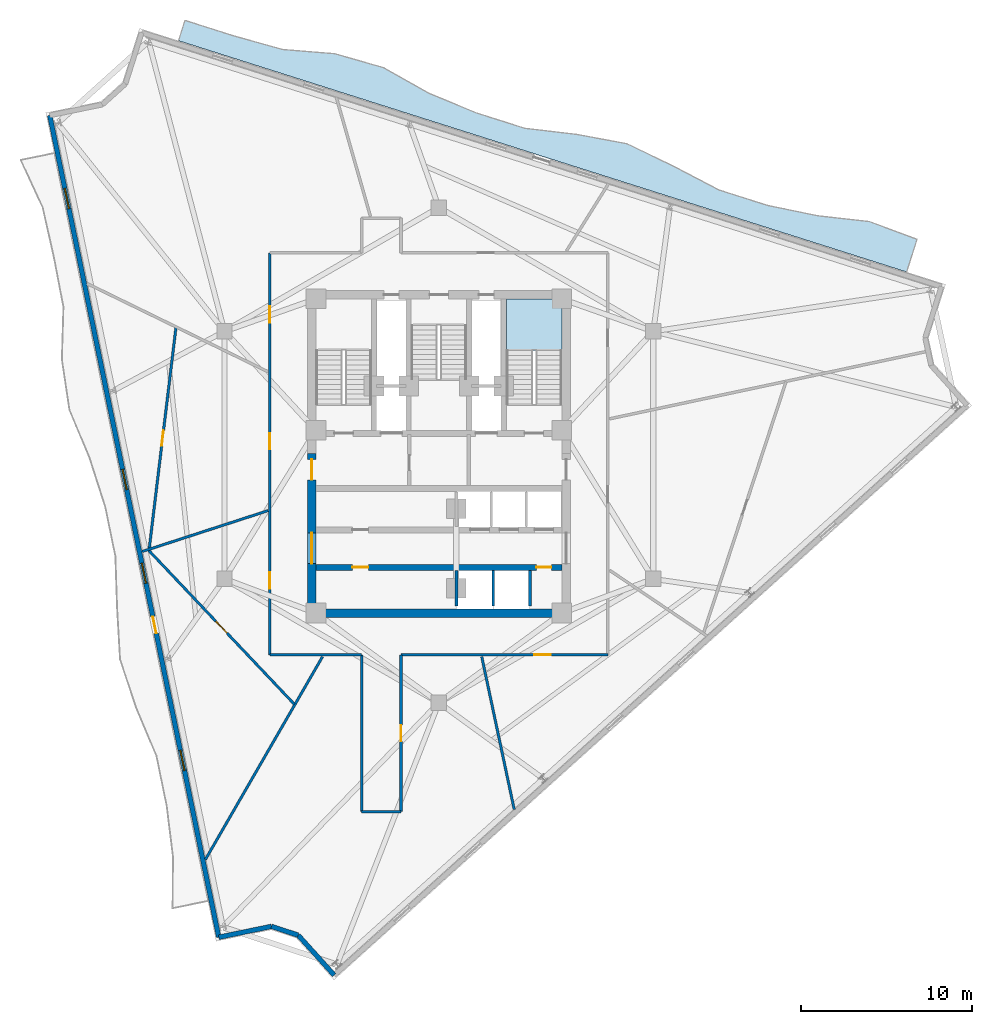
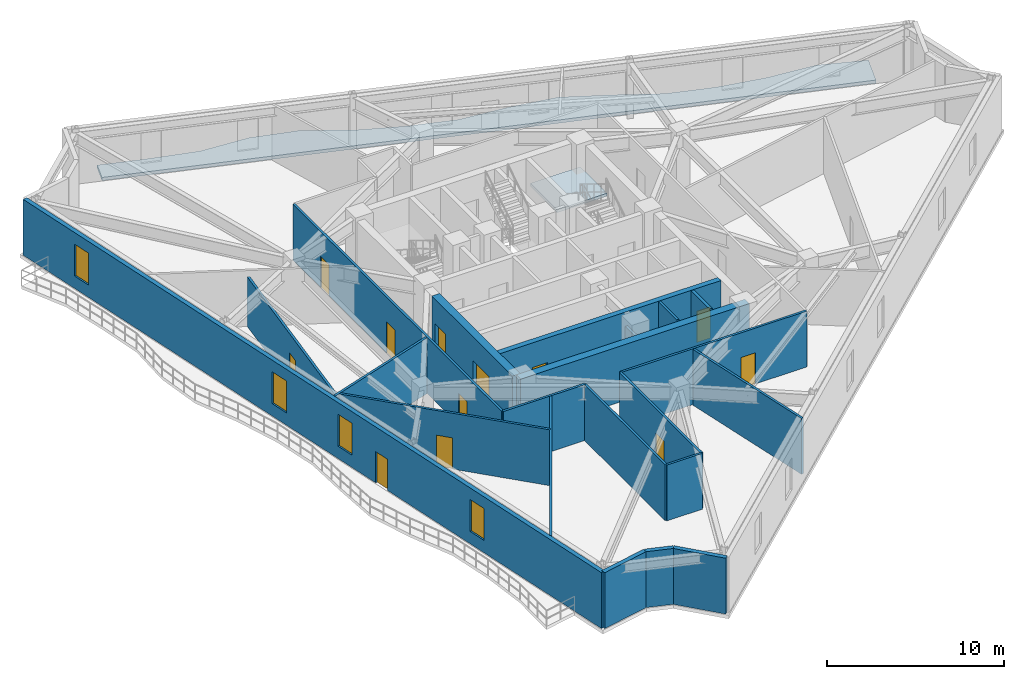
# One storey, part 5 of 11: 21 walls, 12 doors, 4 windows, 2 slabs, 16 openings, 1 element without a shape of its own.
"""IFC4 building model written with IfcOpenShell, lengths in metres."""

from ifc_helpers import new_model, si_unit, direction, frame, frame_2d, origin, place, context, subcontext, project, spatial, polyline, rectangle, outline, extrude, material, layer, layer_set, type_object, element, fill, aggregate, save


model = new_model("IFC4")

# Units and contexts
model_context = context("Model", 3, precision=1e-05, world=origin(), true_north=direction((0.0, 1.0)))
body_context = subcontext(model_context, "Body", "Model", "MODEL_VIEW")
ifc_project = project(units=[si_unit("LENGTHUNIT", "METRE"), si_unit("AREAUNIT", "SQUARE_METRE"), si_unit("VOLUMEUNIT", "CUBIC_METRE"), si_unit("PLANEANGLEUNIT", "RADIAN"), si_unit("MASSUNIT", "GRAM", prefix="KILO")], contexts=[model_context])

# Site, building, storey
site_placement = place(None, origin())
site = spatial("IfcSite", under=ifc_project, at=site_placement, CompositionType="ELEMENT")
building_placement = place(site_placement, origin())
building = spatial("IfcBuilding", under=site, at=building_placement, Name="Apsidion Concourse Tower", CompositionType="ELEMENT")
storey_placement = place(building_placement, frame((0.0, 0.0, 252.699951171875)))
storey = spatial("IfcBuildingStorey", under=building, at=storey_placement, Name="L59", CompositionType="ELEMENT", Elevation=252.699951171875)

# Slab
ifc_material_1 = material(Name="Concrete C50/60", Category="concrete")
ifc_layer_1 = layer(ifc_material_1, 0.219970703125)
ifc_layer_set_1 = layer_set([ifc_layer_1], Name="Concrete C50/60")
slab_type_1 = type_object("IfcSlabType", Name="SL-BAL-220", PredefinedType="FLOOR", material=ifc_layer_set_1)
slab_1_placement = place(storey_placement, frame((0.0, 0.0, -0.219970703125)))
element("IfcSlab", 1, at=slab_1_placement, inside=storey, type_object=slab_type_1, Name="L59 Face 3 Rippling Balcony Slab", PredefinedType="FLOOR", context=body_context, shape_type="SweptSolid", body=[
    extrude(outline(polyline([(27.39599609375, 10.727294921875), (24.552978515625, 11.63037109375), (21.7099609375, 12.533447265625), (18.86669921875, 13.436279296875), (16.023681640625, 14.33935546875), (13.1806640625, 15.2421875), (10.337646484375, 16.145263671875), (7.49462890625, 17.04833984375), (4.651611328125, 17.951416015625), (1.80859375, 18.854248046875), (-1.03466796875, 19.75732421875), (-3.877685546875, 20.660400390625), (-6.720703125, 21.563232421875), (-9.563720703125, 22.46630859375), (-12.40673828125, 23.369140625), (-15.25, 24.272216796875), (-14.87158203125, 25.463623046875), (-12.028564453125, 24.560546875), (-9.15380859375, 23.7568359375), (-6.101806640625, 23.51220703125), (-3.232666015625, 22.69091796875), (-0.57861328125, 21.193359375), (2.186767578125, 20.045654296875), (5.02978515625, 19.142578125), (8.047607421875, 18.7890625), (11.00341796875, 18.24169921875), (13.718994140625, 16.9375), (16.402099609375, 15.53076171875), (19.2451171875, 14.627685546875), (22.181640625, 14.018798828125), (25.204345703125, 13.681640625), (28.00439453125, 12.642578125), (27.39599609375, 10.727294921875)])), origin(), (0.0, 0.0, 1.0), 0.219970703125),
])

# Stair, slab
ifc_material_2 = material(Name="Precast concrete C40/50", Category="concrete")
stair_type = type_object("IfcStairType", Name="ST-DL-1550", PredefinedType="HALF_TURN_STAIR", material=ifc_material_2)
stair_placement = place(storey_placement, origin())
stair = element("IfcStair", 2, at=stair_placement, inside=storey, type_object=stair_type, Name="L59 Protected Core Exit Stair ST2", PredefinedType="HALF_TURN_STAIR")
ifc_layer_2 = layer(ifc_material_1, 0.199951171875)
ifc_layer_set_2 = layer_set([ifc_layer_2], Name="Concrete C50/60")
slab_type_2 = type_object("IfcSlabType", Name="SL-ST-LAND-200", PredefinedType="LANDING", material=ifc_layer_set_2)
slab_2_placement = place(storey_placement, frame((0.0, 0.0, 1.85009765625)))
slab_2 = element("IfcSlab", 3, at=slab_2_placement, type_object=slab_type_2, Name="ST2 landing 1", PredefinedType="LANDING", context=body_context, shape_type="SweptSolid", body=[
    extrude(outline(polyline([(7.199951171875, 6.135009765625), (7.199951171875, 9.14990234375), (3.949951171875, 9.14990234375), (3.949951171875, 6.135009765625), (7.199951171875, 6.135009765625)])), origin(), (0.0, 0.0, 1.0), 0.199951171875),
])
aggregate(stair, [slab_2])

# Walls
ifc_layer_3 = layer(ifc_material_2, 0.280029296875)
ifc_layer_set_3 = layer_set([ifc_layer_3], Name="Precast concrete C40/50")
wall_type_1 = type_object("IfcWallType", Name="WL-EXT-280", PredefinedType="STANDARD", material=ifc_layer_set_3)
wall_1_placement = place(storey_placement, frame((-6.13330078125, -30.46044921875, 0.0), z_axis=(0.0, 0.0, 1.0), x_axis=(-0.669131702868, 0.743143838175, 0.0)))
element("IfcWall", 4, at=wall_1_placement, inside=storey, type_object=wall_type_1, Name="L59 Precast Stone Facade Wall 06", PredefinedType="STANDARD", context=body_context, shape_type="SweptSolid", body=[
    extrude(rectangle(XDim=3.150146484375, YDim=0.280029296875, at=frame_2d((1.5751953125, 0.0))), origin(), (0.0, 0.0, 1.0), 3.85009765625),
])
wall_2_placement = place(storey_placement, frame((-8.2412109375, -28.119384765625, 0.0), z_axis=(0.0, 0.0, 1.0), x_axis=(-0.950036767419, 0.312138015231, 0.0)))
element("IfcWall", 5, at=wall_2_placement, inside=storey, type_object=wall_type_1, Name="L59 Precast Stone Facade Wall 07", PredefinedType="STANDARD", context=body_context, shape_type="SweptSolid", body=[
    extrude(rectangle(XDim=1.648681640625, YDim=0.280029296875, at=frame_2d((0.82421875, 0.0))), origin(), (0.0, 0.0, 1.0), 3.85009765625),
])
wall_3_placement = place(storey_placement, frame((-9.8076171875, -27.604736328125, 0.0), z_axis=(0.0, 0.0, 1.0), x_axis=(-0.979505186658, -0.201418939799, 0.0)))
element("IfcWall", 6, at=wall_3_placement, inside=storey, type_object=wall_type_1, Name="L59 Precast Stone Facade Wall 08", PredefinedType="STANDARD", context=body_context, shape_type="SweptSolid", body=[
    extrude(rectangle(XDim=3.150146484375, YDim=0.280029296875, at=frame_2d((1.5751953125, 0.0))), origin(), (0.0, 0.0, 1.0), 3.85009765625),
])

# Wall, openings, door, windows
wall_4_placement = place(storey_placement, frame((-12.893310546875, -28.2392578125, 0.0), z_axis=(0.0, 0.0, 1.0), x_axis=(-0.201426823496, 0.979503565474, 0.0)))
wall_4 = element("IfcWall", 7, at=wall_4_placement, inside=storey, type_object=wall_type_1, Name="L59 Precast Stone Facade Wall 09", PredefinedType="STANDARD", context=body_context, shape_type="SweptSolid", body=[
    extrude(rectangle(XDim=49.145263671875, YDim=0.280029296875, at=frame_2d((24.57275390625, 0.0))), origin(), (0.0, 0.0, 1.0), 3.85009765625),
])
opening_1_placement = place(wall_4_placement, frame((18.17529296875, 0.0, 0.0)))
opening_1 = element("IfcOpeningElement", 8, at=opening_1_placement, cuts=wall_4, Name="Opening D-T1L", PredefinedType="OPENING", context=body_context, shape_type="SweptSolid", body=[
    extrude(rectangle(XDim=1.0, YDim=2.14990234375, at=frame_2d((0.5, 1.074951171875))), frame((0.0, 0.14990234375, 0.0), z_axis=(0.0, -1.0, 0.0), x_axis=(1.0, 0.0, 0.0)), (0.0, 0.0, 1.0), 0.300048828125),
])
opening_2_placement = place(wall_4_placement, frame((9.97265625, 0.0, 0.85009765625)))
opening_2 = element("IfcOpeningElement", 9, at=opening_2_placement, cuts=wall_4, Name="Opening WN-06", PredefinedType="OPENING", context=body_context, shape_type="SweptSolid", body=[
    extrude(rectangle(XDim=1.199951171875, YDim=2.199951171875, at=frame_2d((0.60009765625, 1.10009765625))), frame((0.0, 0.14990234375, 0.0), z_axis=(0.0, -1.0, 0.0), x_axis=(1.0, 0.0, 0.0)), (0.0, 0.0, 1.0), 0.300048828125),
])
opening_3_placement = place(wall_4_placement, frame((21.172607421875, 0.0, 0.85009765625)))
opening_3 = element("IfcOpeningElement", 10, at=opening_3_placement, cuts=wall_4, Name="Opening WN-06", PredefinedType="OPENING", context=body_context, shape_type="SweptSolid", body=[
    extrude(rectangle(XDim=1.199951171875, YDim=2.199951171875, at=frame_2d((0.60009765625, 1.10009765625))), frame((0.0, 0.14990234375, 0.0), z_axis=(0.0, -1.0, 0.0), x_axis=(1.0, 0.0, 0.0)), (0.0, 0.0, 1.0), 0.300048828125),
])
opening_4_placement = place(wall_4_placement, frame((26.772705078125, 0.0, 0.85009765625)))
opening_4 = element("IfcOpeningElement", 11, at=opening_4_placement, cuts=wall_4, Name="Opening WN-06", PredefinedType="OPENING", context=body_context, shape_type="SweptSolid", body=[
    extrude(rectangle(XDim=1.199951171875, YDim=2.199951171875, at=frame_2d((0.60009765625, 1.10009765625))), frame((0.0, 0.14990234375, 0.0), z_axis=(0.0, -1.0, 0.0), x_axis=(1.0, 0.0, 0.0)), (0.0, 0.0, 1.0), 0.300048828125),
])
opening_5_placement = place(wall_4_placement, frame((43.572509765625, 0.0, 0.85009765625)))
opening_5 = element("IfcOpeningElement", 12, at=opening_5_placement, cuts=wall_4, Name="Opening WN-06", PredefinedType="OPENING", context=body_context, shape_type="SweptSolid", body=[
    extrude(rectangle(XDim=1.199951171875, YDim=2.199951171875, at=frame_2d((0.60009765625, 1.10009765625))), frame((0.0, 0.14990234375, 0.0), z_axis=(0.0, -1.0, 0.0), x_axis=(1.0, 0.0, 0.0)), (0.0, 0.0, 1.0), 0.300048828125),
])
ifc_material_3 = material(Name="Anodised aluminium EN AW-6063 T6", Category="aluminium")
door_type_1 = type_object("IfcDoorType", Name="DR-TER-1022L", OperationType="SINGLE_SWING_LEFT", PredefinedType="DOOR", material=ifc_material_3)
door_1_placement = place(opening_1_placement, origin())
door_1 = element("IfcDoor", 13, at=door_1_placement, inside=storey, type_object=door_type_1, Name="L59 Balcony Access Door 2", OperationType="SINGLE_SWING_LEFT", OverallHeight=2.14990234375, OverallWidth=1.0, PredefinedType="DOOR", context=body_context, shape_type="SweptSolid", body=[
    extrude(rectangle(XDim=1.0, YDim=2.14990234375, at=frame_2d((0.5, 1.074951171875))), frame((0.0, 0.02490234375, 0.0), z_axis=(0.0, -1.0, 0.0), x_axis=(1.0, 0.0, 0.0)), (0.0, 0.0, 1.0), 0.050048828125),
])
fill(opening_1, door_1)
ifc_material_4 = material(Name="Insulated laminated low-E glass", Category="glass")
window_type = type_object("IfcWindowType", Name="WN-OFF-1224", PartitioningType="SINGLE_PANEL", PredefinedType="WINDOW", material=ifc_material_4)
window_1_placement = place(opening_2_placement, origin())
window_1 = element("IfcWindow", 14, at=window_1_placement, inside=storey, type_object=window_type, Name="L59 Punched Facade Window 9-02", OverallHeight=2.199951171875, OverallWidth=1.199951171875, PartitioningType="SINGLE_PANEL", PredefinedType="WINDOW", context=body_context, shape_type="SweptSolid", body=[
    extrude(rectangle(XDim=1.199951171875, YDim=2.199951171875, at=frame_2d((0.60009765625, 1.10009765625))), frame((0.0, 0.030029296875, 0.0), z_axis=(0.0, -1.0, 0.0), x_axis=(1.0, 0.0, 0.0)), (0.0, 0.0, 1.0), 0.06005859375),
])
fill(opening_2, window_1)
window_2_placement = place(opening_3_placement, origin())
window_2 = element("IfcWindow", 15, at=window_2_placement, inside=storey, type_object=window_type, Name="L59 Punched Facade Window 9-04", OverallHeight=2.199951171875, OverallWidth=1.199951171875, PartitioningType="SINGLE_PANEL", PredefinedType="WINDOW", context=body_context, shape_type="SweptSolid", body=[
    extrude(rectangle(XDim=1.199951171875, YDim=2.199951171875, at=frame_2d((0.60009765625, 1.10009765625))), frame((0.0, 0.030029296875, 0.0), z_axis=(0.0, -1.0, 0.0), x_axis=(1.0, 0.0, 0.0)), (0.0, 0.0, 1.0), 0.06005859375),
])
fill(opening_3, window_2)
window_3_placement = place(opening_4_placement, origin())
window_3 = element("IfcWindow", 16, at=window_3_placement, inside=storey, type_object=window_type, Name="L59 Punched Facade Window 9-05", OverallHeight=2.199951171875, OverallWidth=1.199951171875, PartitioningType="SINGLE_PANEL", PredefinedType="WINDOW", context=body_context, shape_type="SweptSolid", body=[
    extrude(rectangle(XDim=1.199951171875, YDim=2.199951171875, at=frame_2d((0.60009765625, 1.10009765625))), frame((0.0, 0.030029296875, 0.0), z_axis=(0.0, -1.0, 0.0), x_axis=(1.0, 0.0, 0.0)), (0.0, 0.0, 1.0), 0.06005859375),
])
fill(opening_4, window_3)
window_4_placement = place(opening_5_placement, origin())
window_4 = element("IfcWindow", 17, at=window_4_placement, inside=storey, type_object=window_type, Name="L59 Punched Facade Window 9-08", OverallHeight=2.199951171875, OverallWidth=1.199951171875, PartitioningType="SINGLE_PANEL", PredefinedType="WINDOW", context=body_context, shape_type="SweptSolid", body=[
    extrude(rectangle(XDim=1.199951171875, YDim=2.199951171875, at=frame_2d((0.60009765625, 1.10009765625))), frame((0.0, 0.030029296875, 0.0), z_axis=(0.0, -1.0, 0.0), x_axis=(1.0, 0.0, 0.0)), (0.0, 0.0, 1.0), 0.06005859375),
])
fill(opening_5, window_4)

# Walls
ifc_material_5 = material(Name="Gypsum plasterboard partition")
ifc_layer_4 = layer(ifc_material_5, 0.14990234375)
ifc_layer_set_4 = layer_set([ifc_layer_4], Name="Gypsum plasterboard partition")
wall_type_2 = type_object("IfcWallType", Name="WL-INT-PAR-150", PredefinedType="PARTITIONING", material=ifc_layer_set_4)
wall_5_placement = place(storey_placement, frame((3.175048828125, -8.85009765625, 0.0), z_axis=(0.0, 0.0, 1.0), x_axis=(0.0, 1.0, 0.0)))
element("IfcWall", 18, at=wall_5_placement, inside=storey, type_object=wall_type_2, Name="L59 Interior Partition WL-L59-SHDIV-1", PredefinedType="PARTITIONING", context=body_context, shape_type="SweptSolid", body=[
    extrude(rectangle(XDim=2.080078125, YDim=0.14990234375, at=frame_2d((1.0400390625, 0.0))), origin(), (0.0, 0.0, 1.0), 3.85009765625),
])
wall_6_placement = place(storey_placement, frame((-4.530029296875, -11.699951171875, 0.0), z_axis=(0.0, 0.0, 1.0), x_axis=(-1.0, 0.0, 0.0)))
element("IfcWall", 19, at=wall_6_placement, inside=storey, type_object=wall_type_2, Name="L59 Interior Partition WL-L59-CORR-01", PredefinedType="PARTITIONING", context=body_context, shape_type="SweptSolid", body=[
    extrude(rectangle(XDim=5.369873046875, YDim=0.14990234375, at=frame_2d((2.68505859375, 0.0))), origin(), (0.0, 0.0, 1.0), 3.85009765625),
])

# Wall, openings, doors
wall_7_placement = place(storey_placement, frame((-9.89990234375, -11.699951171875, 0.0), z_axis=(0.0, 0.0, 1.0), x_axis=(0.0, 1.0, 0.0)))
wall_7 = element("IfcWall", 20, at=wall_7_placement, inside=storey, type_object=wall_type_2, Name="L59 Interior Partition WL-L59-CORR-02", PredefinedType="PARTITIONING", context=body_context, shape_type="SweptSolid", body=[
    extrude(rectangle(XDim=23.550048828125, YDim=0.14990234375, at=frame_2d((11.77490234375, 0.0))), origin(), (0.0, 0.0, 1.0), 3.85009765625),
])
opening_6_placement = place(wall_7_placement, frame((3.87939453125, 0.0, 0.0)))
opening_6 = element("IfcOpeningElement", 21, at=opening_6_placement, cuts=wall_7, Name="Opening D-01L", PredefinedType="OPENING", context=body_context, shape_type="SweptSolid", body=[
    extrude(rectangle(XDim=0.949951171875, YDim=2.14990234375, at=frame_2d((0.47509765625, 1.074951171875))), frame((0.0, 0.0849609375, 0.0), z_axis=(0.0, -1.0, 0.0), x_axis=(1.0, 0.0, 0.0)), (0.0, 0.0, 1.0), 0.169921875),
])
opening_7_placement = place(wall_7_placement, frame((19.460205078125, 0.0, 0.0)))
opening_7 = element("IfcOpeningElement", 22, at=opening_7_placement, cuts=wall_7, Name="Opening D-01L", PredefinedType="OPENING", context=body_context, shape_type="SweptSolid", body=[
    extrude(rectangle(XDim=0.949951171875, YDim=2.14990234375, at=frame_2d((0.47509765625, 1.074951171875))), frame((0.0, 0.0849609375, 0.0), z_axis=(0.0, -1.0, 0.0), x_axis=(1.0, 0.0, 0.0)), (0.0, 0.0, 1.0), 0.169921875),
])
opening_8_placement = place(wall_7_placement, frame((12.03955078125, 0.0, 0.0)))
opening_8 = element("IfcOpeningElement", 23, at=opening_8_placement, cuts=wall_7, Name="Opening D-01R", PredefinedType="OPENING", context=body_context, shape_type="SweptSolid", body=[
    extrude(rectangle(XDim=0.949951171875, YDim=2.14990234375, at=frame_2d((0.47509765625, 1.074951171875))), frame((0.0, 0.0849609375, 0.0), z_axis=(0.0, -1.0, 0.0), x_axis=(1.0, 0.0, 0.0)), (0.0, 0.0, 1.0), 0.169921875),
])
ifc_material_6 = material(Name="Brushed stainless steel 316", Category="steel")
door_type_2 = type_object("IfcDoorType", Name="DR-INT-D01L", OperationType="SINGLE_SWING_LEFT", PredefinedType="DOOR", material=ifc_material_6)
door_2_placement = place(opening_6_placement, origin())
door_2 = element("IfcDoor", 24, at=door_2_placement, inside=storey, type_object=door_type_2, Name="L59 Corridor Entry Door 01", OperationType="SINGLE_SWING_LEFT", OverallHeight=2.14990234375, OverallWidth=0.949951171875, PredefinedType="DOOR", context=body_context, shape_type="SweptSolid", body=[
    extrude(rectangle(XDim=0.949951171875, YDim=2.14990234375, at=frame_2d((0.47509765625, 1.074951171875))), frame((0.0, 0.02490234375, 0.0), z_axis=(0.0, -1.0, 0.0), x_axis=(1.0, 0.0, 0.0)), (0.0, 0.0, 1.0), 0.050048828125),
])
fill(opening_6, door_2)
door_3_placement = place(opening_7_placement, origin())
door_3 = element("IfcDoor", 25, at=door_3_placement, inside=storey, type_object=door_type_2, Name="L59 Corridor Entry Door 07", OperationType="SINGLE_SWING_LEFT", OverallHeight=2.14990234375, OverallWidth=0.949951171875, PredefinedType="DOOR", context=body_context, shape_type="SweptSolid", body=[
    extrude(rectangle(XDim=0.949951171875, YDim=2.14990234375, at=frame_2d((0.47509765625, 1.074951171875))), frame((0.0, 0.02490234375, 0.0), z_axis=(0.0, -1.0, 0.0), x_axis=(1.0, 0.0, 0.0)), (0.0, 0.0, 1.0), 0.050048828125),
])
fill(opening_7, door_3)
door_type_3 = type_object("IfcDoorType", Name="DR-INT-D01R", OperationType="SINGLE_SWING_RIGHT", PredefinedType="DOOR", material=ifc_material_6)
door_4_placement = place(opening_8_placement, origin())
door_4 = element("IfcDoor", 26, at=door_4_placement, inside=storey, type_object=door_type_3, Name="L59 Corridor Entry Door 08", OperationType="SINGLE_SWING_RIGHT", OverallHeight=2.14990234375, OverallWidth=0.949951171875, PredefinedType="DOOR", context=body_context, shape_type="SweptSolid", body=[
    extrude(rectangle(XDim=0.949951171875, YDim=2.14990234375, at=frame_2d((0.47509765625, 1.074951171875))), frame((0.0, 0.02490234375, 0.0), z_axis=(0.0, -1.0, 0.0), x_axis=(1.0, 0.0, 0.0)), (0.0, 0.0, 1.0), 0.050048828125),
])
fill(opening_8, door_4)

# Wall, opening, door
wall_8_placement = place(storey_placement, frame((9.89990234375, -11.699951171875, 0.0), z_axis=(0.0, 0.0, 1.0), x_axis=(-1.0, 0.0, 0.0)))
wall_8 = element("IfcWall", 27, at=wall_8_placement, inside=storey, type_object=wall_type_2, Name="L59 Interior Partition WL-L59-CORR-09", PredefinedType="PARTITIONING", context=body_context, shape_type="SweptSolid", body=[
    extrude(rectangle(XDim=12.119873046875, YDim=0.14990234375, at=frame_2d((6.06005859375, 0.0))), origin(), (0.0, 0.0, 1.0), 3.85009765625),
])
opening_9_placement = place(wall_8_placement, frame((3.35009765625, 0.0, 0.0)))
opening_9 = element("IfcOpeningElement", 28, at=opening_9_placement, cuts=wall_8, Name="Opening D-01L", PredefinedType="OPENING", context=body_context, shape_type="SweptSolid", body=[
    extrude(rectangle(XDim=0.949951171875, YDim=2.14990234375, at=frame_2d((0.47509765625, 1.074951171875))), frame((0.0, 0.0849609375, 0.0), z_axis=(0.0, -1.0, 0.0), x_axis=(1.0, 0.0, 0.0)), (0.0, 0.0, 1.0), 0.169921875),
])
door_5_placement = place(opening_9_placement, origin())
door_5 = element("IfcDoor", 29, at=door_5_placement, inside=storey, type_object=door_type_2, Name="L59 Corridor Entry Door 03", OperationType="SINGLE_SWING_LEFT", OverallHeight=2.14990234375, OverallWidth=0.949951171875, PredefinedType="DOOR", context=body_context, shape_type="SweptSolid", body=[
    extrude(rectangle(XDim=0.949951171875, YDim=2.14990234375, at=frame_2d((0.47509765625, 1.074951171875))), frame((0.0, 0.02490234375, 0.0), z_axis=(0.0, -1.0, 0.0), x_axis=(1.0, 0.0, 0.0)), (0.0, 0.0, 1.0), 0.050048828125),
])
fill(opening_9, door_5)

wall_9_placement = place(storey_placement, frame((-2.219970703125, -11.699951171875, 0.0), z_axis=(0.0, 0.0, 1.0), x_axis=(0.0, -1.0, 0.0)))
wall_9 = element("IfcWall", 30, at=wall_9_placement, inside=storey, type_object=wall_type_2, Name="L59 Interior Partition WL-L59-CORR-10", PredefinedType="PARTITIONING", context=body_context, shape_type="SweptSolid", body=[
    extrude(rectangle(XDim=9.179931640625, YDim=0.14990234375, at=frame_2d((4.58984375, 0.0))), origin(), (0.0, 0.0, 1.0), 3.85009765625),
])
opening_10_placement = place(wall_9_placement, frame((4.114990234375, 0.0, 0.0)))
opening_10 = element("IfcOpeningElement", 31, at=opening_10_placement, cuts=wall_9, Name="Opening D-01R", PredefinedType="OPENING", context=body_context, shape_type="SweptSolid", body=[
    extrude(rectangle(XDim=0.949951171875, YDim=2.14990234375, at=frame_2d((0.47509765625, 1.074951171875))), frame((0.0, 0.0849609375, 0.0), z_axis=(0.0, -1.0, 0.0), x_axis=(1.0, 0.0, 0.0)), (0.0, 0.0, 1.0), 0.169921875),
])
door_6_placement = place(opening_10_placement, origin())
door_6 = element("IfcDoor", 32, at=door_6_placement, inside=storey, type_object=door_type_3, Name="L59 Corridor Entry Door 02", OperationType="SINGLE_SWING_RIGHT", OverallHeight=2.14990234375, OverallWidth=0.949951171875, PredefinedType="DOOR", context=body_context, shape_type="SweptSolid", body=[
    extrude(rectangle(XDim=0.949951171875, YDim=2.14990234375, at=frame_2d((0.47509765625, 1.074951171875))), frame((0.0, 0.02490234375, 0.0), z_axis=(0.0, -1.0, 0.0), x_axis=(1.0, 0.0, 0.0)), (0.0, 0.0, 1.0), 0.050048828125),
])
fill(opening_10, door_6)

# Walls
wall_10_placement = place(storey_placement, frame((-2.219970703125, -20.8798828125, 0.0), z_axis=(0.0, 0.0, 1.0), x_axis=(-1.0, 0.0, 0.0)))
element("IfcWall", 33, at=wall_10_placement, inside=storey, type_object=wall_type_2, Name="L59 Interior Partition WL-L59-CORR-11", PredefinedType="PARTITIONING", context=body_context, shape_type="SweptSolid", body=[
    extrude(rectangle(XDim=2.31005859375, YDim=0.14990234375, at=frame_2d((1.155029296875, 0.0))), origin(), (0.0, 0.0, 1.0), 3.85009765625),
])
wall_11_placement = place(storey_placement, frame((-4.530029296875, -20.8798828125, 0.0), z_axis=(0.0, 0.0, 1.0), x_axis=(0.0, 1.0, 0.0)))
element("IfcWall", 34, at=wall_11_placement, inside=storey, type_object=wall_type_2, Name="L59 Interior Partition WL-L59-CORR-12", PredefinedType="PARTITIONING", context=body_context, shape_type="SweptSolid", body=[
    extrude(rectangle(XDim=9.179931640625, YDim=0.14990234375, at=frame_2d((4.58984375, 0.0))), origin(), (0.0, 0.0, 1.0), 3.85009765625),
])
wall_12_placement = place(storey_placement, frame((-10.0048828125, -3.250732421875, 0.0), z_axis=(0.0, 0.0, 1.0), x_axis=(-0.951051648604, -0.309031975187, 0.0)))
element("IfcWall", 35, at=wall_12_placement, inside=storey, type_object=wall_type_2, Name="L59 Interior Partition WL-L59-RAD-05-1", PredefinedType="PARTITIONING", context=body_context, shape_type="SweptSolid", body=[
    extrude(rectangle(XDim=7.755615234375, YDim=0.14990234375, at=frame_2d((3.8779296875, 0.0))), origin(), (0.0, 0.0, 1.0), 3.85009765625),
])
wall_13_placement = place(storey_placement, frame((-6.815673828125, -11.804931640625, 0.0), z_axis=(0.0, 0.0, 1.0), x_axis=(-0.499997278212, -0.866026975204, 0.0)))
element("IfcWall", 36, at=wall_13_placement, inside=storey, type_object=wall_type_2, Name="L59 Interior Partition WL-L59-RAD-06-1", PredefinedType="PARTITIONING", context=body_context, shape_type="SweptSolid", body=[
    extrude(rectangle(XDim=13.71337890625, YDim=0.14990234375, at=frame_2d((6.856689453125, 0.0))), origin(), (0.0, 0.0, 1.0), 3.85009765625),
])
wall_14_placement = place(storey_placement, frame((2.50927734375, -11.804931640625, 0.0), z_axis=(0.0, 0.0, 1.0), x_axis=(0.207916503322, -0.978146577792, 0.0)))
element("IfcWall", 37, at=wall_14_placement, inside=storey, type_object=wall_type_2, Name="L59 Interior Partition WL-L59-RAD-07-1", PredefinedType="PARTITIONING", context=body_context, shape_type="SweptSolid", body=[
    extrude(rectangle(XDim=9.15185546875, YDim=0.14990234375, at=frame_2d((4.575927734375, 0.0))), origin(), (0.0, 0.0, 1.0), 3.85009765625),
])

# Wall, opening, door
wall_15_placement = place(storey_placement, frame((-17.018310546875, -5.555908203125, 0.0), z_axis=(0.0, 0.0, 1.0), x_axis=(0.687370974231, -0.726306508153, 0.0)))
wall_15 = element("IfcWall", 38, at=wall_15_placement, inside=storey, type_object=wall_type_2, Name="L59 Interior Partition WL-L59-CHD-OFWC", PredefinedType="PARTITIONING", context=body_context, shape_type="SweptSolid", body=[
    extrude(rectangle(XDim=12.452880859375, YDim=0.14990234375, at=frame_2d((6.2265625, 0.0))), origin(), (0.0, 0.0, 1.0), 3.85009765625),
])
opening_11_placement = place(wall_15_placement, frame((5.75146484375, 0.0, 0.0)))
opening_11 = element("IfcOpeningElement", 39, at=opening_11_placement, cuts=wall_15, Name="Opening D-04L", PredefinedType="OPENING", context=body_context, shape_type="SweptSolid", body=[
    extrude(rectangle(XDim=0.949951171875, YDim=2.14990234375, at=frame_2d((0.47509765625, 1.074951171875))), frame((0.0, 0.0849609375, 0.0), z_axis=(0.0, -1.0, 0.0), x_axis=(1.0, 0.0, 0.0)), (0.0, 0.0, 1.0), 0.169921875),
])
door_type_4 = type_object("IfcDoorType", Name="DR-INT-D04L", OperationType="SINGLE_SWING_LEFT", PredefinedType="DOOR", material=ifc_material_6)
door_7_placement = place(opening_11_placement, origin())
door_7 = element("IfcDoor", 40, at=door_7_placement, inside=storey, type_object=door_type_4, Name="L59 Suite Connecting Door OFWC", OperationType="SINGLE_SWING_LEFT", OverallHeight=2.14990234375, OverallWidth=0.949951171875, PredefinedType="DOOR", context=body_context, shape_type="SweptSolid", body=[
    extrude(rectangle(XDim=0.949951171875, YDim=2.14990234375, at=frame_2d((0.47509765625, 1.074951171875))), frame((0.0, 0.02490234375, 0.0), z_axis=(0.0, -1.0, 0.0), x_axis=(1.0, 0.0, 0.0)), (0.0, 0.0, 1.0), 0.050048828125),
])
fill(opening_11, door_7)

wall_16_placement = place(storey_placement, frame((-15.399658203125, 7.483154296875, 0.0), z_axis=(0.0, 0.0, 1.0), x_axis=(-0.119957988871, -0.992778968807, 0.0)))
wall_16 = element("IfcWall", 41, at=wall_16_placement, inside=storey, type_object=wall_type_2, Name="L59 Interior Partition WL-L59-CHD-OFS07", PredefinedType="PARTITIONING", context=body_context, shape_type="SweptSolid", body=[
    extrude(rectangle(XDim=13.06396484375, YDim=0.14990234375, at=frame_2d((6.531982421875, 0.0))), origin(), (0.0, 0.0, 1.0), 3.4150390625),
])
opening_12_placement = place(wall_16_placement, frame((6.08203125, 0.0, 0.0)))
opening_12 = element("IfcOpeningElement", 42, at=opening_12_placement, cuts=wall_16, Name="Opening D-02R", PredefinedType="OPENING", context=body_context, shape_type="SweptSolid", body=[
    extrude(rectangle(XDim=0.89990234375, YDim=2.10009765625, at=frame_2d((0.449951171875, 1.050048828125))), frame((0.0, 0.0849609375, 0.0), z_axis=(0.0, -1.0, 0.0), x_axis=(1.0, 0.0, 0.0)), (0.0, 0.0, 1.0), 0.169921875),
])
door_type_5 = type_object("IfcDoorType", Name="DR-INT-D02R", OperationType="SINGLE_SWING_RIGHT", PredefinedType="DOOR", material=ifc_material_3)
door_8_placement = place(opening_12_placement, origin())
door_8 = element("IfcDoor", 43, at=door_8_placement, inside=storey, type_object=door_type_5, Name="L59 Suite Connecting Door OFS07", OperationType="SINGLE_SWING_RIGHT", OverallHeight=2.10009765625, OverallWidth=0.89990234375, PredefinedType="DOOR", context=body_context, shape_type="SweptSolid", body=[
    extrude(rectangle(XDim=0.89990234375, YDim=2.10009765625, at=frame_2d((0.449951171875, 1.050048828125))), frame((0.0, 0.02490234375, 0.0), z_axis=(0.0, -1.0, 0.0), x_axis=(1.0, 0.0, 0.0)), (0.0, 0.0, 1.0), 0.050048828125),
])
fill(opening_12, door_8)

# Walls
ifc_layer_5 = layer(ifc_material_5, 0.179931640625)
ifc_layer_set_5 = layer_set([ifc_layer_5], Name="Gypsum plasterboard partition")
wall_type_3 = type_object("IfcWallType", Name="WL-INT-PAR-180", PredefinedType="PARTITIONING", material=ifc_layer_set_5)
wall_17_placement = place(storey_placement, frame((1.02490234375, -8.85009765625, 0.0), z_axis=(0.0, 0.0, 1.0), x_axis=(0.0, 1.0, 0.0)))
element("IfcWall", 44, at=wall_17_placement, inside=storey, type_object=wall_type_3, Name="L59 Interior Partition WL-L59-B2END", PredefinedType="PARTITIONING", context=body_context, shape_type="SweptSolid", body=[
    extrude(rectangle(XDim=2.080078125, YDim=0.179931640625, at=frame_2d((1.0400390625, 0.0))), origin(), (0.0, 0.0, 1.0), 2.89794921875),
])
wall_18_placement = place(storey_placement, frame((5.324951171875, -8.85009765625, 0.0), z_axis=(0.0, 0.0, 1.0), x_axis=(0.0, 1.0, 0.0)))
element("IfcWall", 45, at=wall_18_placement, inside=storey, type_object=wall_type_3, Name="L59 Interior Partition WL-L59-SHDIV-2", PredefinedType="PARTITIONING", context=body_context, shape_type="SweptSolid", body=[
    extrude(rectangle(XDim=2.080078125, YDim=0.179931640625, at=frame_2d((1.0400390625, 0.0))), origin(), (0.0, 0.0, 1.0), 3.85009765625),
])

# Wall, openings, doors
ifc_layer_6 = layer(ifc_material_1, 0.35009765625)
ifc_layer_set_6 = layer_set([ifc_layer_6], Name="Concrete C50/60")
wall_type_4 = type_object("IfcWallType", Name="WL-SH-350", PredefinedType="SHEAR", material=ifc_layer_set_6)
wall_19_placement = place(storey_placement, frame((-7.199951171875, -6.570068359375, 0.0), z_axis=(0.0, 0.0, 1.0), x_axis=(1.0, 0.0, 0.0)))
wall_19 = element("IfcWall", 46, at=wall_19_placement, inside=storey, type_object=wall_type_4, Name="L59 Central Core Shear Wall LB", PredefinedType="SHEAR", context=body_context, shape_type="SweptSolid", body=[
    extrude(rectangle(XDim=14.39990234375, YDim=0.35009765625, at=frame_2d((7.199951171875, 0.0))), origin(), (0.0, 0.0, 1.0), 3.85009765625),
])
opening_13_placement = place(wall_19_placement, frame((2.125, 0.0, 0.0)))
opening_13 = element("IfcOpeningElement", 47, at=opening_13_placement, cuts=wall_19, Name="Opening D-04R", PredefinedType="OPENING", context=body_context, shape_type="SweptSolid", body=[
    extrude(rectangle(XDim=0.949951171875, YDim=2.14990234375, at=frame_2d((0.47509765625, 1.074951171875))), frame((0.0, 0.18505859375, 0.0), z_axis=(0.0, -1.0, 0.0), x_axis=(1.0, 0.0, 0.0)), (0.0, 0.0, 1.0), 0.3701171875),
])
opening_14_placement = place(wall_19_placement, frame((12.909912109375, 0.0, 0.0)))
opening_14 = element("IfcOpeningElement", 48, at=opening_14_placement, cuts=wall_19, Name="Opening D-05L", PredefinedType="OPENING", context=body_context, shape_type="SweptSolid", body=[
    extrude(rectangle(XDim=0.8798828125, YDim=2.14990234375, at=frame_2d((0.43994140625, 1.074951171875))), frame((0.0, 0.18505859375, 0.0), z_axis=(0.0, -1.0, 0.0), x_axis=(1.0, 0.0, 0.0)), (0.0, 0.0, 1.0), 0.3701171875),
])
door_type_6 = type_object("IfcDoorType", Name="DR-INT-D04R", OperationType="SINGLE_SWING_RIGHT", PredefinedType="DOOR", material=ifc_material_6)
door_9_placement = place(opening_13_placement, origin())
door_9 = element("IfcDoor", 49, at=door_9_placement, inside=storey, type_object=door_type_6, Name="L59 Executive Catering Pantry Door", OperationType="SINGLE_SWING_RIGHT", OverallHeight=2.14990234375, OverallWidth=0.949951171875, PredefinedType="DOOR", context=body_context, shape_type="SweptSolid", body=[
    extrude(rectangle(XDim=0.949951171875, YDim=2.14990234375, at=frame_2d((0.47509765625, 1.074951171875))), frame((0.0, 0.02490234375, 0.0), z_axis=(0.0, -1.0, 0.0), x_axis=(1.0, 0.0, 0.0)), (0.0, 0.0, 1.0), 0.050048828125),
])
fill(opening_13, door_9)
door_type_7 = type_object("IfcDoorType", Name="DR-INT-D05L", OperationType="SINGLE_SWING_LEFT", PredefinedType="DOOR", material=ifc_material_6)
door_10_placement = place(opening_14_placement, origin())
door_10 = element("IfcDoor", 50, at=door_10_placement, inside=storey, type_object=door_type_7, Name="L59 Cleaners Store Door", OperationType="SINGLE_SWING_LEFT", OverallHeight=2.14990234375, OverallWidth=0.8798828125, PredefinedType="DOOR", context=body_context, shape_type="SweptSolid", body=[
    extrude(rectangle(XDim=0.8798828125, YDim=2.14990234375, at=frame_2d((0.43994140625, 1.074951171875))), frame((0.0, 0.02490234375, 0.0), z_axis=(0.0, -1.0, 0.0), x_axis=(1.0, 0.0, 0.0)), (0.0, 0.0, 1.0), 0.050048828125),
])
fill(opening_14, door_10)

ifc_layer_7 = layer(ifc_material_1, 0.5)
ifc_layer_set_7 = layer_set([ifc_layer_7], Name="Concrete C50/60")
wall_type_5 = type_object("IfcWallType", Name="WL-SH-500", PredefinedType="SHEAR", material=ifc_layer_set_7)
wall_20_placement = place(storey_placement, frame((-7.449951171875, -9.0, 0.0), z_axis=(0.0, 0.0, 1.0), x_axis=(0.0, 1.0, 0.0)))
wall_20 = element("IfcWall", 51, at=wall_20_placement, inside=storey, type_object=wall_type_5, Name="L59 Central Core Shear Wall WS", PredefinedType="SHEAR", context=body_context, shape_type="SweptSolid", body=[
    extrude(rectangle(XDim=9.10009765625, YDim=0.5, at=frame_2d((4.550048828125, 0.0))), origin(), (0.0, 0.0, 1.0), 3.85009765625),
])
opening_15_placement = place(wall_20_placement, frame((2.639892578125, 0.0, 0.0)))
opening_15 = element("IfcOpeningElement", 52, at=opening_15_placement, cuts=wall_20, Name="Opening D-06D", PredefinedType="OPENING", context=body_context, shape_type="SweptSolid", body=[
    extrude(rectangle(XDim=1.800048828125, YDim=2.199951171875, at=frame_2d((0.89990234375, 1.10009765625))), frame((0.0, 0.260009765625, 0.0), z_axis=(0.0, -1.0, 0.0), x_axis=(1.0, 0.0, 0.0)), (0.0, 0.0, 1.0), 0.52001953125),
])
opening_16_placement = place(wall_20_placement, frame((7.550048828125, 0.0, 0.0)))
opening_16 = element("IfcOpeningElement", 53, at=opening_16_placement, cuts=wall_20, Name="Opening D-FFL", PredefinedType="OPENING", context=body_context, shape_type="SweptSolid", body=[
    extrude(rectangle(XDim=1.199951171875, YDim=2.14990234375, at=frame_2d((0.60009765625, 1.074951171875))), frame((0.0, 0.260009765625, 0.0), z_axis=(0.0, -1.0, 0.0), x_axis=(1.0, 0.0, 0.0)), (0.0, 0.0, 1.0), 0.52001953125),
])
door_type_8 = type_object("IfcDoorType", Name="DR-INT-D06D", OperationType="DOUBLE_DOOR_SINGLE_SWING", PredefinedType="DOOR", material=ifc_material_6)
door_11_placement = place(opening_15_placement, origin())
door_11 = element("IfcDoor", 54, at=door_11_placement, inside=storey, type_object=door_type_8, Name="L59 Passenger Lift Lobby WS Portal Door", OperationType="DOUBLE_DOOR_SINGLE_SWING", OverallHeight=2.199951171875, OverallWidth=1.800048828125, PredefinedType="DOOR", context=body_context, shape_type="SweptSolid", body=[
    extrude(rectangle(XDim=1.800048828125, YDim=2.199951171875, at=frame_2d((0.89990234375, 1.10009765625))), frame((0.0, 0.02490234375, 0.0), z_axis=(0.0, -1.0, 0.0), x_axis=(1.0, 0.0, 0.0)), (0.0, 0.0, 1.0), 0.050048828125),
])
fill(opening_15, door_11)
door_type_9 = type_object("IfcDoorType", Name="DR-INT-FFL", OperationType="SINGLE_SWING_LEFT", PredefinedType="DOOR", material=ifc_material_6)
door_12_placement = place(opening_16_placement, origin())
door_12 = element("IfcDoor", 55, at=door_12_placement, inside=storey, type_object=door_type_9, Name="L59 Firefighting Lift Lobby FF1 Door", OperationType="SINGLE_SWING_LEFT", OverallHeight=2.14990234375, OverallWidth=1.199951171875, PredefinedType="DOOR", context=body_context, shape_type="SweptSolid", body=[
    extrude(rectangle(XDim=1.199951171875, YDim=2.14990234375, at=frame_2d((0.60009765625, 1.074951171875))), frame((0.0, 0.02490234375, 0.0), z_axis=(0.0, -1.0, 0.0), x_axis=(1.0, 0.0, 0.0)), (0.0, 0.0, 1.0), 0.050048828125),
])
fill(opening_16, door_12)

# Wall
wall_21_placement = place(storey_placement, frame((-7.449951171875, -9.25, 0.0), z_axis=(0.0, 0.0, 1.0), x_axis=(1.0, 0.0, 0.0)))
element("IfcWall", 56, at=wall_21_placement, inside=storey, type_object=wall_type_5, Name="L59 Central Core Shear Wall S", PredefinedType="SHEAR", context=body_context, shape_type="SweptSolid", body=[
    extrude(rectangle(XDim=14.89990234375, YDim=0.5, at=frame_2d((7.449951171875, 0.0))), origin(), (0.0, 0.0, 1.0), 3.85009765625),
])

save(model, "model.ifc")
